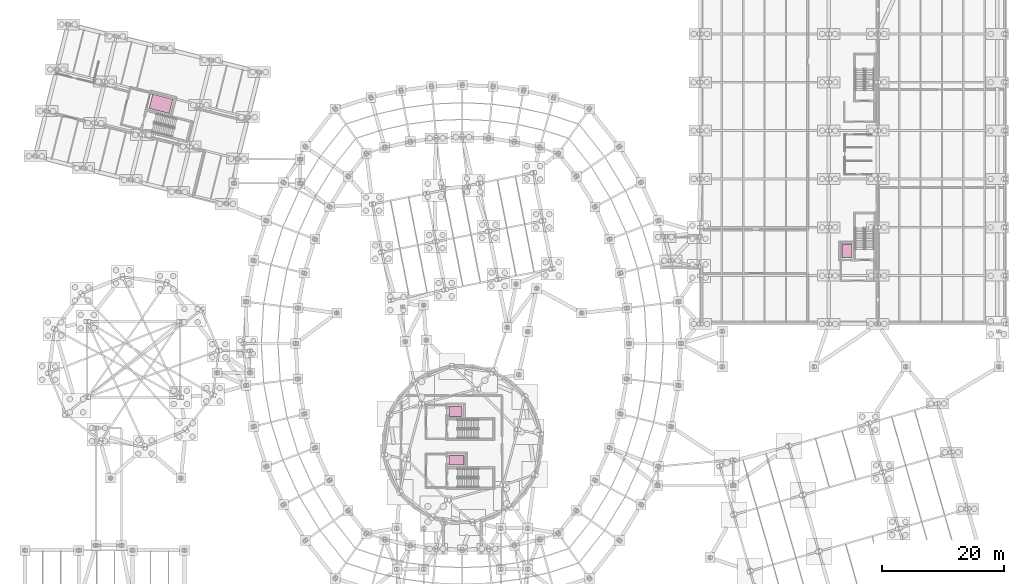
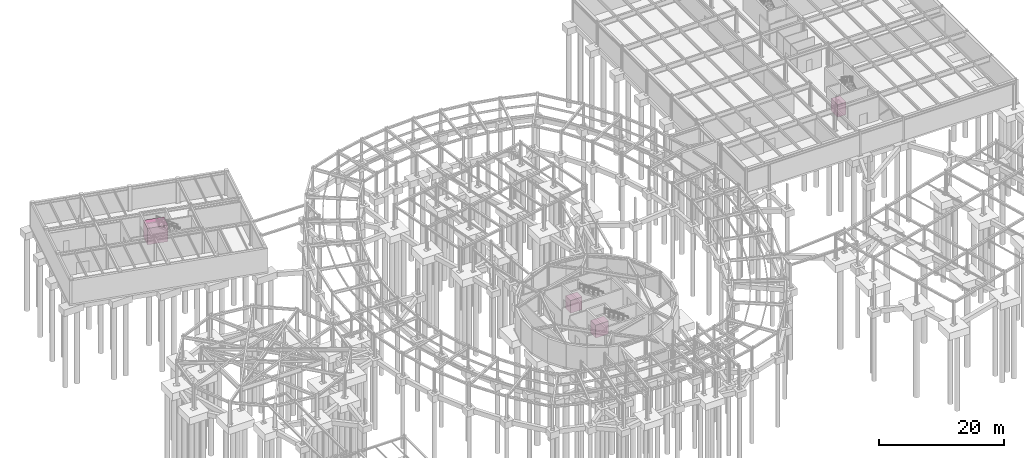
# One storey, part 50 of 50: 4 transport elements.
"""IFC4 building model written with IfcOpenShell, lengths in metres."""

from ifc_helpers import new_model, si_unit, direction, frame, origin, origin_2d, place, context, subcontext, project, spatial, rectangle, extrude, material, type_object, element, save


model = new_model("IFC4")

# Units and contexts
model_context = context("Model", 3, precision=1e-05, world=origin(), true_north=direction((0.0, 1.0)))
body_context = subcontext(model_context, "Body", "Model", "MODEL_VIEW")
ifc_project = project(units=[si_unit("LENGTHUNIT", "METRE"), si_unit("AREAUNIT", "SQUARE_METRE"), si_unit("VOLUMEUNIT", "CUBIC_METRE"), si_unit("PLANEANGLEUNIT", "RADIAN"), si_unit("MASSUNIT", "GRAM", prefix="KILO")], contexts=[model_context])

# Site, building, storey
site_placement = place(None, origin())
site = spatial("IfcSite", under=ifc_project, at=site_placement, CompositionType="ELEMENT")
building_placement = place(site_placement, origin())
building = spatial("IfcBuilding", under=site, at=building_placement, Name="Varnklinge Art Gallery", CompositionType="ELEMENT")
storey_placement = place(building_placement, frame((0.0, 0.0, -4.800048828125)))
storey = spatial("IfcBuildingStorey", under=building, at=storey_placement, Name="B01", CompositionType="ELEMENT", Elevation=-4.800048828125)

# Transport elements
ifc_material_1 = material(Name="Anodised Aluminium", Category="aluminium")
transport_element_type_1 = type_object("IfcTransportElementType", Name="LFT-FF1", PredefinedType="ELEVATOR", material=ifc_material_1)
transport_element_1_placement = place(storey_placement, frame((74.550048828125, 35.909912109375, 0.0), z_axis=(0.0, 0.0, 1.0), x_axis=(1.0, 0.0, 0.0)))
element("IfcTransportElement", 1, at=transport_element_1_placement, inside=storey, type_object=transport_element_type_1, Name="LF-01", PredefinedType="ELEVATOR", context=body_context, shape_type="SweptSolid", body=[
    extrude(rectangle(XDim=2.39990234375, YDim=1.60009765625, at=origin_2d()), origin(), (0.0, 0.0, 1.0), 2.5),
])
ifc_material_2 = material(Name="Anodised Aluminium", Category="aluminium")
transport_element_type_2 = type_object("IfcTransportElementType", Name="LFT-GDS", PredefinedType="ELEVATOR", material=ifc_material_2)
transport_element_2_placement = place(storey_placement, frame((26.239990234375, 94.1796875, 0.0), z_axis=(0.0, 0.0, 1.0), x_axis=(0.970295726276, -0.2419218956, 0.0)))
element("IfcTransportElement", 2, at=transport_element_2_placement, inside=storey, type_object=transport_element_type_2, Name="Goods Lift", PredefinedType="ELEVATOR", context=body_context, shape_type="SweptSolid", body=[
    extrude(rectangle(XDim=3.39990234375, YDim=2.39990234375, at=origin_2d()), origin(), (0.0, 0.0, 1.0), 3.199951171875),
])
ifc_material_3 = material(Name="Anodised Aluminium", Category="aluminium")
transport_element_type_3 = type_object("IfcTransportElementType", Name="LFT-PAX1", PredefinedType="ELEVATOR", material=ifc_material_3)
for number, where, z_axis, x_axis, name in (
    (3, (74.39990234375, 43.909912109375, 0.0), (0.0, 0.0, 1.0), (1.0, 0.0, 0.0), "LF-02"),
    (4, (138.389892578125, 70.10009765625, 0.0), (0.0, 0.0, 1.0), (0.0, 1.0, 0.0), "LF-03"),
):
    element("IfcTransportElement", number, at=place(storey_placement, frame(where, z_axis=z_axis, x_axis=x_axis)), inside=storey, type_object=transport_element_type_3, Name=name, PredefinedType="ELEVATOR", context=body_context, shape_type="SweptSolid", body=[
        extrude(rectangle(XDim=2.10009765625, YDim=1.60009765625, at=origin_2d()), origin(), (0.0, 0.0, 1.0), 2.449951171875),
    ])

save(model, "model.ifc")
